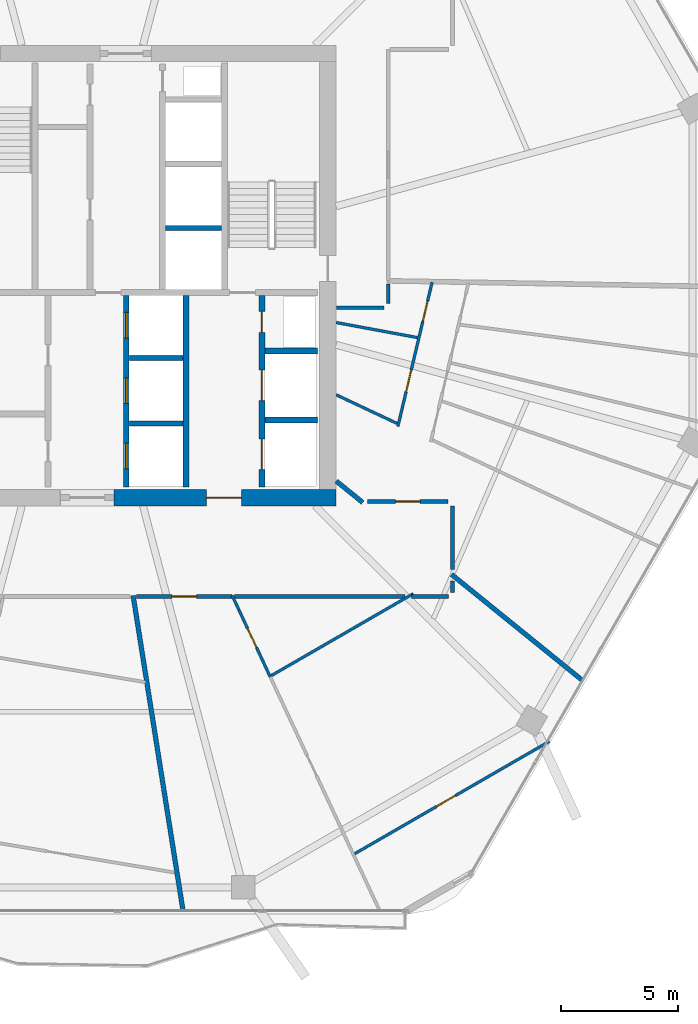
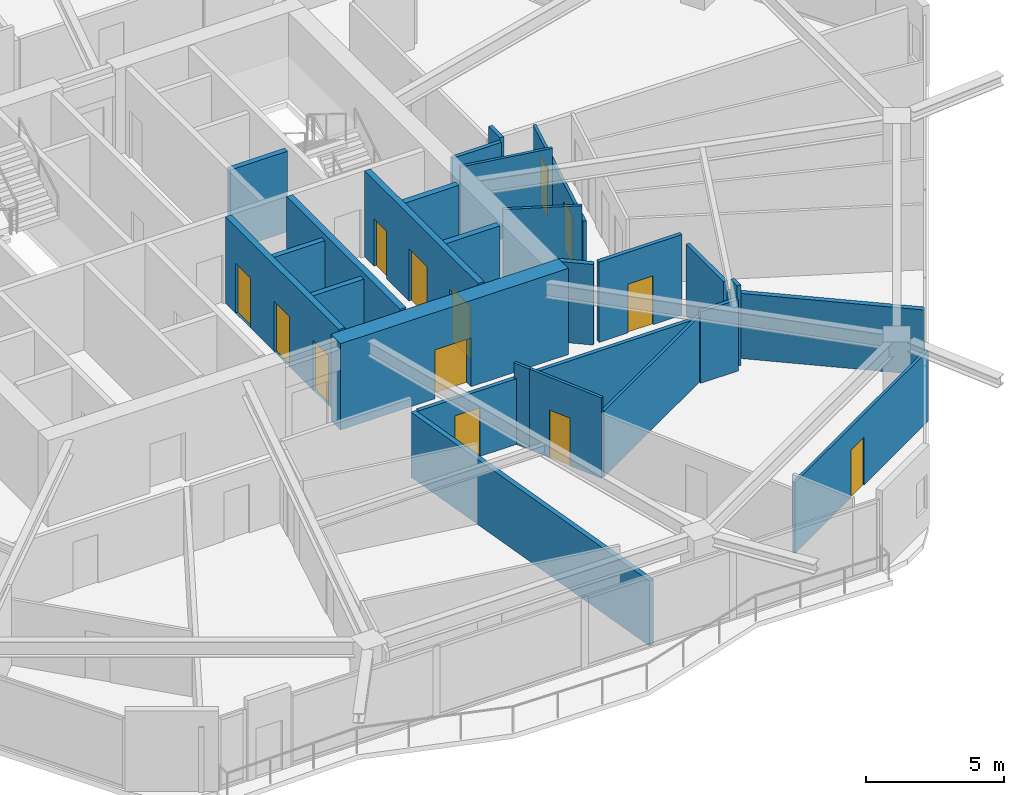
# One storey, part 21 of 27: 27 walls, 13 doors, 13 openings.
"""IFC4 building model written with IfcOpenShell, lengths in metres."""

from ifc_helpers import new_model, si_unit, direction, frame, frame_2d, origin, place, context, subcontext, project, spatial, rectangle, extrude, material, layer, layer_set, type_object, element, fill, save


model = new_model("IFC4")

# Units and contexts
model_context = context("Model", 3, precision=1e-05, world=origin(), true_north=direction((0.0, 1.0)))
body_context = subcontext(model_context, "Body", "Model", "MODEL_VIEW")
ifc_project = project(units=[si_unit("LENGTHUNIT", "METRE"), si_unit("AREAUNIT", "SQUARE_METRE"), si_unit("VOLUMEUNIT", "CUBIC_METRE"), si_unit("PLANEANGLEUNIT", "RADIAN"), si_unit("MASSUNIT", "GRAM", prefix="KILO")], contexts=[model_context])

# Site, building, storey
site_placement = place(None, origin())
site = spatial("IfcSite", under=ifc_project, at=site_placement, CompositionType="ELEMENT")
building_placement = place(site_placement, origin())
building = spatial("IfcBuilding", under=site, at=building_placement, Name="Zuhravey Tower", CompositionType="ELEMENT")
storey_placement = place(building_placement, frame((0.0, 0.0, 173.199951171875)))
storey = spatial("IfcBuildingStorey", under=building, at=storey_placement, Name="L43", CompositionType="ELEMENT", Elevation=173.199951171875)

# Wall, opening, door
ifc_material_1 = material(Name="Concrete C60/75", Category="concrete")
ifc_layer_1 = layer(ifc_material_1, 0.699951171875)
ifc_layer_set_1 = layer_set([ifc_layer_1], Name="Concrete C60/75")
wall_type_1 = type_object("IfcWallType", Name="Core Shear Wall 700", PredefinedType="SHEAR", material=ifc_layer_set_1)
wall_1_placement = place(storey_placement, frame((37.35009765625, 22.5, 0.0), z_axis=(0.0, 0.0, 1.0), x_axis=(1.0, 0.0, 0.0)))
wall_1 = element("IfcWall", 1, at=wall_1_placement, inside=storey, type_object=wall_type_1, Name="L43 South-East Core Shear Wall CW70", PredefinedType="SHEAR", context=body_context, shape_type="SweptSolid", body=[
    extrude(rectangle(XDim=9.5, YDim=0.699951171875, at=frame_2d((4.75, 0.0))), origin(), (0.0, 0.0, 1.0), 3.800048828125),
])
opening_1_placement = place(wall_1_placement, frame((3.949951171875, 0.0, 0.0)))
opening_1 = element("IfcOpeningElement", 2, at=opening_1_placement, cuts=wall_1, Name="Opening FFD1", PredefinedType="OPENING", context=body_context, shape_type="SweptSolid", body=[
    extrude(rectangle(XDim=1.5, YDim=2.14990234375, at=frame_2d((0.75, 1.074951171875))), frame((0.0, 0.362060546875, 0.0), z_axis=(0.0, -1.0, 0.0), x_axis=(1.0, 0.0, 0.0)), (0.0, 0.0, 1.0), 0.723876953125),
])
ifc_material_2 = material(Name="Galvanised fire-rated steel leaf", Category="steel")
door_type_1 = type_object("IfcDoorType", Name="Firefighting Lobby Double Door 1500x2150", OperationType="DOUBLE_DOOR_SINGLE_SWING", PredefinedType="DOOR", material=ifc_material_2)
door_1_placement = place(opening_1_placement, origin())
door_1 = element("IfcDoor", 3, at=door_1_placement, inside=storey, type_object=door_type_1, Name="L43 Firefighting Lobby East Door", OperationType="DOUBLE_DOOR_SINGLE_SWING", OverallHeight=2.14990234375, OverallWidth=1.5, PredefinedType="DOOR", context=body_context, shape_type="SweptSolid", body=[
    extrude(rectangle(XDim=1.5, YDim=2.14990234375, at=frame_2d((0.75, 1.074951171875))), frame((0.0, 0.02490234375, 0.0), z_axis=(0.0, -1.0, 0.0), x_axis=(1.0, 0.0, 0.0)), (0.0, 0.0, 1.0), 0.050048828125),
])
fill(opening_1, door_1)

ifc_material_3 = material(Name="Gypsum fire-rated stud partition")
ifc_layer_2 = layer(ifc_material_3, 0.159912109375)
ifc_layer_set_2 = layer_set([ifc_layer_2], Name="Gypsum fire-rated stud partition")
wall_type_2 = type_object("IfcWallType", Name="Corridor Fire Partition 160", PredefinedType="PARTITIONING", material=ifc_layer_set_2)
wall_2_placement = place(storey_placement, frame((38.31787109375, 18.27001953125, 0.0), z_axis=(0.0, 0.0, 1.0), x_axis=(1.0, 0.0, 0.0)))
wall_2 = element("IfcWall", 4, at=wall_2_placement, inside=storey, type_object=wall_type_2, Name="L43 IW16 Partition 050", PredefinedType="PARTITIONING", context=body_context, shape_type="SweptSolid", body=[
    extrude(rectangle(XDim=4.0859375, YDim=0.159912109375, at=frame_2d((2.04296875, 0.0))), origin(), (0.0, 0.0, 1.0), 2.900146484375),
])
opening_2_placement = place(wall_2_placement, frame((1.517822265625, 0.0, 0.0)))
opening_2 = element("IfcOpeningElement", 5, at=opening_2_placement, cuts=wall_2, Name="Opening APD1", PredefinedType="OPENING", context=body_context, shape_type="SweptSolid", body=[
    extrude(rectangle(XDim=1.050048828125, YDim=2.14990234375, at=frame_2d((0.52490234375, 1.074951171875))), frame((0.0, 0.092041015625, 0.0), z_axis=(0.0, -1.0, 0.0), x_axis=(1.0, 0.0, 0.0)), (0.0, 0.0, 1.0), 0.183837890625),
])
ifc_material_4 = material(Name="Solid-core oak fire-rated leaf")
door_type_2 = type_object("IfcDoorType", Name="Apartment Entrance Fire Door 1050x2150", OperationType="NOTDEFINED", PredefinedType="DOOR", material=ifc_material_4)
door_2_placement = place(opening_2_placement, frame((1.050048828125, 0.0, 0.0), z_axis=(0.0, 0.0, 1.0), x_axis=(-1.0, 0.0, 0.0)))
door_2 = element("IfcDoor", 6, at=door_2_placement, inside=storey, type_object=door_type_2, Name="L43 Door 050.1", OperationType="SINGLE_SWING_RIGHT", OverallHeight=2.14990234375, OverallWidth=1.050048828125, PredefinedType="DOOR", context=body_context, shape_type="SweptSolid", body=[
    extrude(rectangle(XDim=1.050048828125, YDim=2.14990234375, at=frame_2d((0.52490234375, 1.074951171875))), frame((0.0, 0.02490234375, 0.0), z_axis=(0.0, -1.0, 0.0), x_axis=(1.0, 0.0, 0.0)), (0.0, 0.0, 1.0), 0.050048828125),
])
fill(opening_2, door_2)

wall_3_placement = place(storey_placement, frame((51.6494140625, 22.330078125, 0.0), z_axis=(0.0, 0.0, 1.0), x_axis=(-1.0, 0.0, 0.0)))
wall_3 = element("IfcWall", 7, at=wall_3_placement, inside=storey, type_object=wall_type_2, Name="L43 IW16 Partition 053", PredefinedType="PARTITIONING", context=body_context, shape_type="SweptSolid", body=[
    extrude(rectangle(XDim=3.46044921875, YDim=0.159912109375, at=frame_2d((1.730224609375, 0.0))), origin(), (0.0, 0.0, 1.0), 3.550048828125),
])
opening_3_placement = place(wall_3_placement, frame((1.205078125, 0.0, 0.0)))
opening_3 = element("IfcOpeningElement", 8, at=opening_3_placement, cuts=wall_3, Name="Opening APD1", PredefinedType="OPENING", context=body_context, shape_type="SweptSolid", body=[
    extrude(rectangle(XDim=1.050048828125, YDim=2.14990234375, at=frame_2d((0.52490234375, 1.074951171875))), frame((0.0, 0.092041015625, 0.0), z_axis=(0.0, -1.0, 0.0), x_axis=(1.0, 0.0, 0.0)), (0.0, 0.0, 1.0), 0.183837890625),
])
door_3_placement = place(opening_3_placement, frame((1.050048828125, 0.0, 0.0), z_axis=(0.0, 0.0, 1.0), x_axis=(-1.0, 0.0, 0.0)))
door_3 = element("IfcDoor", 9, at=door_3_placement, inside=storey, type_object=door_type_2, Name="L43 Door 053.1", OperationType="SINGLE_SWING_LEFT", OverallHeight=2.14990234375, OverallWidth=1.050048828125, PredefinedType="DOOR", context=body_context, shape_type="SweptSolid", body=[
    extrude(rectangle(XDim=1.050048828125, YDim=2.14990234375, at=frame_2d((0.52490234375, 1.074951171875))), frame((0.0, 0.02490234375, 0.0), z_axis=(0.0, -1.0, 0.0), x_axis=(1.0, 0.0, 0.0)), (0.0, 0.0, 1.0), 0.050048828125),
])
fill(opening_3, door_3)

# Walls
wall_4_placement = place(storey_placement, frame((42.500732421875, 18.27001953125, 0.0), z_axis=(0.0, 0.0, 1.0), x_axis=(1.0, 0.0, 0.0)))
element("IfcWall", 10, at=wall_4_placement, inside=storey, type_object=wall_type_2, Name="L43 IW16 Partition 119", PredefinedType="PARTITIONING", context=body_context, shape_type="SweptSolid", body=[
    extrude(rectangle(XDim=7.30810546875, YDim=0.159912109375, at=frame_2d((3.654052734375, 0.0))), origin(), (0.0, 0.0, 1.0), 2.900146484375),
])
wall_5_placement = place(storey_placement, frame((50.080810546875, 18.27001953125, 0.0), z_axis=(0.0, 0.0, 1.0), x_axis=(1.0, 0.0, 0.0)))
element("IfcWall", 11, at=wall_5_placement, inside=storey, type_object=wall_type_2, Name="L43 IW16 Partition 120", PredefinedType="PARTITIONING", context=body_context, shape_type="SweptSolid", body=[
    extrude(rectangle(XDim=1.569091796875, YDim=0.159912109375, at=frame_2d((0.78466796875, 0.0))), origin(), (0.0, 0.0, 1.0), 3.150146484375),
])
wall_6_placement = place(storey_placement, frame((51.830078125, 18.449951171875, 0.0), z_axis=(0.0, 0.0, 1.0), x_axis=(0.0, 1.0, 0.0)))
element("IfcWall", 12, at=wall_6_placement, inside=storey, type_object=wall_type_2, Name="L43 IW16 Partition 121", PredefinedType="PARTITIONING", context=body_context, shape_type="SweptSolid", body=[
    extrude(rectangle(XDim=0.474853515625, YDim=0.159912109375, at=frame_2d((0.2373046875, 0.0))), origin(), (0.0, 0.0, 1.0), 3.550048828125),
])
wall_7_placement = place(storey_placement, frame((51.830078125, 19.433837890625, 0.0), z_axis=(0.0, 0.0, 1.0), x_axis=(0.0, 1.0, 0.0)))
element("IfcWall", 13, at=wall_7_placement, inside=storey, type_object=wall_type_2, Name="L43 IW16 Partition 122", PredefinedType="PARTITIONING", context=body_context, shape_type="SweptSolid", body=[
    extrude(rectangle(XDim=2.715576171875, YDim=0.159912109375, at=frame_2d((1.35791015625, 0.0))), origin(), (0.0, 0.0, 1.0), 3.150146484375),
])
wall_8_placement = place(storey_placement, frame((46.8701171875, 30.6201171875, 0.0), z_axis=(0.0, 0.0, 1.0), x_axis=(1.0, 0.0, 0.0)))
element("IfcWall", 14, at=wall_8_placement, inside=storey, type_object=wall_type_2, Name="L43 IW16 Partition 123", PredefinedType="PARTITIONING", context=body_context, shape_type="SweptSolid", body=[
    extrude(rectangle(XDim=2.02978515625, YDim=0.159912109375, at=frame_2d((1.014892578125, 0.0))), origin(), (0.0, 0.0, 1.0), 3.550048828125),
])
wall_9_placement = place(storey_placement, frame((49.080078125, 30.800048828125, 0.0), z_axis=(0.0, 0.0, 1.0), x_axis=(0.0, 1.0, 0.0)))
element("IfcWall", 15, at=wall_9_placement, inside=storey, type_object=wall_type_2, Name="L43 IW16 Partition 124", PredefinedType="PARTITIONING", context=body_context, shape_type="SweptSolid", body=[
    extrude(rectangle(XDim=0.83740234375, YDim=0.159912109375, at=frame_2d((0.418701171875, 0.0))), origin(), (0.0, 0.0, 1.0), 3.550048828125),
])

# Wall, openings, doors
ifc_material_5 = material(Name="Concrete C50/60", Category="concrete")
ifc_layer_3 = layer(ifc_material_5, 0.25)
ifc_layer_set_3 = layer_set([ifc_layer_3], Name="Concrete C50/60")
wall_type_3 = type_object("IfcWallType", Name="Firefighting Shaft & Stair Wall 250", PredefinedType="SOLIDWALL", material=ifc_layer_set_3)
wall_10_placement = place(storey_placement, frame((37.875, 22.949951171875, 0.0), z_axis=(0.0, 0.0, 1.0), x_axis=(0.0, 1.0, 0.0)))
wall_10 = element("IfcWall", 16, at=wall_10_placement, inside=storey, type_object=wall_type_3, Name="L43 FW25 Shaft Wall 015", PredefinedType="SOLIDWALL", context=body_context, shape_type="SweptSolid", body=[
    extrude(rectangle(XDim=8.199951171875, YDim=0.25, at=frame_2d((4.10009765625, 0.0))), origin(), (0.0, 0.0, 1.0), 3.800048828125),
])
opening_4_placement = place(wall_10_placement, frame((0.77490234375, 0.0, 0.0)))
opening_4 = element("IfcOpeningElement", 17, at=opening_4_placement, cuts=wall_10, Name="Opening LD1", PredefinedType="OPENING", context=body_context, shape_type="SweptSolid", body=[
    extrude(rectangle(XDim=1.10009765625, YDim=2.199951171875, at=frame_2d((0.550048828125, 1.10009765625))), frame((0.0, 0.136962890625, 0.0), z_axis=(0.0, -1.0, 0.0), x_axis=(1.0, 0.0, 0.0)), (0.0, 0.0, 1.0), 0.27392578125),
])
opening_5_placement = place(wall_10_placement, frame((3.574951171875, 0.0, 0.0)))
opening_5 = element("IfcOpeningElement", 18, at=opening_5_placement, cuts=wall_10, Name="Opening LD1", PredefinedType="OPENING", context=body_context, shape_type="SweptSolid", body=[
    extrude(rectangle(XDim=1.10009765625, YDim=2.199951171875, at=frame_2d((0.550048828125, 1.10009765625))), frame((0.0, 0.136962890625, 0.0), z_axis=(0.0, -1.0, 0.0), x_axis=(1.0, 0.0, 0.0)), (0.0, 0.0, 1.0), 0.27392578125),
])
opening_6_placement = place(wall_10_placement, frame((6.375, 0.0, 0.0)))
opening_6 = element("IfcOpeningElement", 19, at=opening_6_placement, cuts=wall_10, Name="Opening LD1", PredefinedType="OPENING", context=body_context, shape_type="SweptSolid", body=[
    extrude(rectangle(XDim=1.10009765625, YDim=2.199951171875, at=frame_2d((0.550048828125, 1.10009765625))), frame((0.0, 0.136962890625, 0.0), z_axis=(0.0, -1.0, 0.0), x_axis=(1.0, 0.0, 0.0)), (0.0, 0.0, 1.0), 0.27392578125),
])
ifc_material_6 = material(Name="Brushed stainless steel", Category="steel")
door_type_3 = type_object("IfcDoorType", Name="Lift Landing Sliding Door 1100x2200", OperationType="DOUBLE_DOOR_SLIDING", PredefinedType="DOOR", material=ifc_material_6)
door_4_placement = place(opening_4_placement, origin())
door_4 = element("IfcDoor", 20, at=door_4_placement, inside=storey, type_object=door_type_3, Name="L43 Lift PL4 Landing Door", OperationType="DOUBLE_DOOR_SLIDING", OverallHeight=2.199951171875, OverallWidth=1.10009765625, PredefinedType="DOOR", context=body_context, shape_type="SweptSolid", body=[
    extrude(rectangle(XDim=1.10009765625, YDim=2.199951171875, at=frame_2d((0.550048828125, 1.10009765625))), frame((0.0, 0.02490234375, 0.0), z_axis=(0.0, -1.0, 0.0), x_axis=(1.0, 0.0, 0.0)), (0.0, 0.0, 1.0), 0.050048828125),
])
fill(opening_4, door_4)
door_5_placement = place(opening_5_placement, origin())
door_5 = element("IfcDoor", 21, at=door_5_placement, inside=storey, type_object=door_type_3, Name="L43 Lift PL5 Landing Door", OperationType="DOUBLE_DOOR_SLIDING", OverallHeight=2.199951171875, OverallWidth=1.10009765625, PredefinedType="DOOR", context=body_context, shape_type="SweptSolid", body=[
    extrude(rectangle(XDim=1.10009765625, YDim=2.199951171875, at=frame_2d((0.550048828125, 1.10009765625))), frame((0.0, 0.02490234375, 0.0), z_axis=(0.0, -1.0, 0.0), x_axis=(1.0, 0.0, 0.0)), (0.0, 0.0, 1.0), 0.050048828125),
])
fill(opening_5, door_5)
door_6_placement = place(opening_6_placement, origin())
door_6 = element("IfcDoor", 22, at=door_6_placement, inside=storey, type_object=door_type_3, Name="L43 Lift PL6 Landing Door", OperationType="DOUBLE_DOOR_SLIDING", OverallHeight=2.199951171875, OverallWidth=1.10009765625, PredefinedType="DOOR", context=body_context, shape_type="SweptSolid", body=[
    extrude(rectangle(XDim=1.10009765625, YDim=2.199951171875, at=frame_2d((0.550048828125, 1.10009765625))), frame((0.0, 0.02490234375, 0.0), z_axis=(0.0, -1.0, 0.0), x_axis=(1.0, 0.0, 0.0)), (0.0, 0.0, 1.0), 0.050048828125),
])
fill(opening_6, door_6)

# Walls
wall_11_placement = place(storey_placement, frame((40.425048828125, 22.949951171875, 0.0), z_axis=(0.0, 0.0, 1.0), x_axis=(0.0, 1.0, 0.0)))
element("IfcWall", 23, at=wall_11_placement, inside=storey, type_object=wall_type_3, Name="L43 FW25 Shaft Wall 016", PredefinedType="SOLIDWALL", context=body_context, shape_type="SweptSolid", body=[
    extrude(rectangle(XDim=8.199951171875, YDim=0.25, at=frame_2d((4.10009765625, 0.0))), origin(), (0.0, 0.0, 1.0), 3.800048828125),
])
for number, where, z_axis, x_axis, name in (
    (24, (43.800048828125, 25.824951171875, 0.0), (0.0, 0.0, 1.0), (1.0, 0.0, 0.0), "L43 FW25 Shaft Wall 017"),
    (25, (43.800048828125, 28.77490234375, 0.0), (0.0, 0.0, 1.0), (1.0, 0.0, 0.0), "L43 FW25 Shaft Wall 018"),
):
    element("IfcWall", number, at=place(storey_placement, frame(where, z_axis=z_axis, x_axis=x_axis)), inside=storey, type_object=wall_type_3, Name=name, PredefinedType="SOLIDWALL", context=body_context, shape_type="SweptSolid", body=[
        extrude(rectangle(XDim=2.25, YDim=0.25, at=frame_2d((1.125, 0.0))), origin(), (0.0, 0.0, 1.0), 3.800048828125),
    ])

# Wall, openings, doors
wall_12_placement = place(storey_placement, frame((43.675048828125, 22.949951171875, 0.0), z_axis=(0.0, 0.0, 1.0), x_axis=(0.0, 1.0, 0.0)))
wall_12 = element("IfcWall", 26, at=wall_12_placement, inside=storey, type_object=wall_type_3, Name="L43 FW25 Shaft Wall 019", PredefinedType="SOLIDWALL", context=body_context, shape_type="SweptSolid", body=[
    extrude(rectangle(XDim=8.199951171875, YDim=0.25, at=frame_2d((4.10009765625, 0.0))), origin(), (0.0, 0.0, 1.0), 3.800048828125),
])
opening_7_placement = place(wall_12_placement, frame((0.75, 0.0, 0.0)))
opening_7 = element("IfcOpeningElement", 27, at=opening_7_placement, cuts=wall_12, Name="Opening LD2", PredefinedType="OPENING", context=body_context, shape_type="SweptSolid", body=[
    extrude(rectangle(XDim=1.300048828125, YDim=2.300048828125, at=frame_2d((0.64990234375, 1.14990234375))), frame((0.0, 0.136962890625, 0.0), z_axis=(0.0, -1.0, 0.0), x_axis=(1.0, 0.0, 0.0)), (0.0, 0.0, 1.0), 0.27392578125),
])
opening_8_placement = place(wall_12_placement, frame((3.699951171875, 0.0, 0.0)))
opening_8 = element("IfcOpeningElement", 28, at=opening_8_placement, cuts=wall_12, Name="Opening LD2", PredefinedType="OPENING", context=body_context, shape_type="SweptSolid", body=[
    extrude(rectangle(XDim=1.300048828125, YDim=2.300048828125, at=frame_2d((0.64990234375, 1.14990234375))), frame((0.0, 0.136962890625, 0.0), z_axis=(0.0, -1.0, 0.0), x_axis=(1.0, 0.0, 0.0)), (0.0, 0.0, 1.0), 0.27392578125),
])
opening_9_placement = place(wall_12_placement, frame((6.6201171875, 0.0, 0.0)))
opening_9 = element("IfcOpeningElement", 29, at=opening_9_placement, cuts=wall_12, Name="Opening RSD1", PredefinedType="OPENING", context=body_context, shape_type="SweptSolid", body=[
    extrude(rectangle(XDim=0.89990234375, YDim=2.10009765625, at=frame_2d((0.449951171875, 1.050048828125))), frame((0.0, 0.136962890625, 0.0), z_axis=(0.0, -1.0, 0.0), x_axis=(1.0, 0.0, 0.0)), (0.0, 0.0, 1.0), 0.27392578125),
])
door_type_4 = type_object("IfcDoorType", Name="Freight & Stretcher Lift Sliding Door 1300x2300", OperationType="DOUBLE_DOOR_SLIDING", PredefinedType="DOOR", material=ifc_material_6)
door_7_placement = place(opening_7_placement, origin())
door_7 = element("IfcDoor", 30, at=door_7_placement, inside=storey, type_object=door_type_4, Name="L43 Lift FF2 Landing Door", OperationType="DOUBLE_DOOR_SLIDING", OverallHeight=2.300048828125, OverallWidth=1.300048828125, PredefinedType="DOOR", context=body_context, shape_type="SweptSolid", body=[
    extrude(rectangle(XDim=1.300048828125, YDim=2.300048828125, at=frame_2d((0.64990234375, 1.14990234375))), frame((0.0, 0.02490234375, 0.0), z_axis=(0.0, -1.0, 0.0), x_axis=(1.0, 0.0, 0.0)), (0.0, 0.0, 1.0), 0.050048828125),
])
fill(opening_7, door_7)
door_8_placement = place(opening_8_placement, origin())
door_8 = element("IfcDoor", 31, at=door_8_placement, inside=storey, type_object=door_type_4, Name="L43 Lift SV1 Landing Door", OperationType="DOUBLE_DOOR_SLIDING", OverallHeight=2.300048828125, OverallWidth=1.300048828125, PredefinedType="DOOR", context=body_context, shape_type="SweptSolid", body=[
    extrude(rectangle(XDim=1.300048828125, YDim=2.300048828125, at=frame_2d((0.64990234375, 1.14990234375))), frame((0.0, 0.02490234375, 0.0), z_axis=(0.0, -1.0, 0.0), x_axis=(1.0, 0.0, 0.0)), (0.0, 0.0, 1.0), 0.050048828125),
])
fill(opening_8, door_8)
ifc_material_7 = material(Name="Galvanised fire-rated steel access leaf", Category="steel")
door_type_5 = type_object("IfcDoorType", Name="Riser & Shaft Access Fire Door 900x2100", OperationType="NOTDEFINED", PredefinedType="DOOR", material=ifc_material_7)
door_9_placement = place(opening_9_placement, origin())
door_9 = element("IfcDoor", 32, at=door_9_placement, inside=storey, type_object=door_type_5, Name="L43 Plumbing Riser Door", OperationType="SINGLE_SWING_LEFT", OverallHeight=2.10009765625, OverallWidth=0.89990234375, PredefinedType="DOOR", context=body_context, shape_type="SweptSolid", body=[
    extrude(rectangle(XDim=0.89990234375, YDim=2.10009765625, at=frame_2d((0.449951171875, 1.050048828125))), frame((0.0, 0.02490234375, 0.0), z_axis=(0.0, -1.0, 0.0), x_axis=(1.0, 0.0, 0.0)), (0.0, 0.0, 1.0), 0.050048828125),
])
fill(opening_9, door_9)

# Walls
ifc_material_8 = material(Name="Gypsum double-stud party assembly")
ifc_layer_4 = layer(ifc_material_8, 0.199951171875)
ifc_layer_set_4 = layer_set([ifc_layer_4], Name="Gypsum double-stud party assembly")
wall_type_4 = type_object("IfcWallType", Name="Inter-Tenancy Party Wall 200", PredefinedType="PARTITIONING", material=ifc_layer_set_4)
wall_13_placement = place(storey_placement, frame((38.168212890625, 18.31005859375, 0.0), z_axis=(0.0, 0.0, 1.0), x_axis=(0.156441591032, -0.987687211923, 0.0)))
element("IfcWall", 33, at=wall_13_placement, inside=storey, type_object=wall_type_4, Name="L43 IW20 Partition 091", PredefinedType="PARTITIONING", context=body_context, shape_type="SweptSolid", body=[
    extrude(rectangle(XDim=13.661376953125, YDim=0.199951171875, at=frame_2d((6.83056640625, 0.0))), origin(), (0.0, 0.0, 1.0), 2.8701171875),
])
wall_14_placement = place(storey_placement, frame((46.85791015625, 23.207275390625, 0.0), z_axis=(0.0, 0.0, 1.0), x_axis=(0.777244870707, -0.629198228668, 0.0)))
element("IfcWall", 34, at=wall_14_placement, inside=storey, type_object=wall_type_4, Name="L43 IW20 Partition 095", PredefinedType="PARTITIONING", context=body_context, shape_type="SweptSolid", body=[
    extrude(rectangle(XDim=1.457763671875, YDim=0.199951171875, at=frame_2d((0.72900390625, 0.0))), origin(), (0.0, 0.0, 1.0), 3.550048828125),
])
wall_15_placement = place(storey_placement, frame((51.7900390625, 19.21337890625, 0.0), z_axis=(0.0, 0.0, 1.0), x_axis=(0.777161996324, -0.629300589122, 0.0)))
element("IfcWall", 35, at=wall_15_placement, inside=storey, type_object=wall_type_4, Name="L43 IW20 Partition 096", PredefinedType="PARTITIONING", context=body_context, shape_type="SweptSolid", body=[
    extrude(rectangle(XDim=7.203857421875, YDim=0.199951171875, at=frame_2d((3.60205078125, 0.0))), origin(), (0.0, 0.0, 1.0), 2.8701171875),
])
ifc_material_9 = material(Name="Gypsum acoustic stud assembly")
ifc_layer_5 = layer(ifc_material_9, 0.219970703125)
ifc_layer_set_5 = layer_set([ifc_layer_5], Name="Gypsum acoustic stud assembly")
wall_type_5 = type_object("IfcWallType", Name="School Acoustic Compartment Wall 220", PredefinedType="PARTITIONING", material=ifc_layer_set_5)
wall_16_placement = place(storey_placement, frame((39.55810546875, 34.02490234375, 0.0), z_axis=(0.0, 0.0, 1.0), x_axis=(1.0, 0.0, 0.0)))
element("IfcWall", 36, at=wall_16_placement, inside=storey, type_object=wall_type_5, Name="L43 IW22 Partition 056", PredefinedType="PARTITIONING", context=body_context, shape_type="SweptSolid", body=[
    extrude(rectangle(XDim=2.3837890625, YDim=0.219970703125, at=frame_2d((1.19189453125, 0.0))), origin(), (0.0, 0.0, 1.0), 3.550048828125),
])
for number, where, z_axis, x_axis, name in (
    (37, (38.008056640625, 25.675048828125, 0.0), (0.0, 0.0, 1.0), (1.0, 0.0, 0.0), "L43 IW22 Partition 059"),
    (38, (38.008056640625, 28.47509765625, 0.0), (0.0, 0.0, 1.0), (1.0, 0.0, 0.0), "L43 IW22 Partition 060"),
):
    element("IfcWall", number, at=place(storey_placement, frame(where, z_axis=z_axis, x_axis=x_axis)), inside=storey, type_object=wall_type_5, Name=name, PredefinedType="PARTITIONING", context=body_context, shape_type="SweptSolid", body=[
        extrude(rectangle(XDim=2.283935546875, YDim=0.219970703125, at=frame_2d((1.14208984375, 0.0))), origin(), (0.0, 0.0, 1.0), 3.550048828125),
    ])

# Wall, opening, door
ifc_material_10 = material(Name="Gypsum metal-stud partition")
ifc_layer_6 = layer(ifc_material_10, 0.1201171875)
ifc_layer_set_6 = layer_set([ifc_layer_6], Name="Gypsum metal-stud partition")
wall_type_6 = type_object("IfcWallType", Name="Unit Internal Partition 120", PredefinedType="PARTITIONING", material=ifc_layer_set_6)
wall_17_placement = place(storey_placement, frame((42.6923828125, 17.699951171875, 0.0), z_axis=(0.0, 0.0, 1.0), x_axis=(0.423922627961, -0.905698407585, 0.0)))
wall_17 = element("IfcWall", 39, at=wall_17_placement, inside=storey, type_object=wall_type_6, Name="L43 IW12 Partition 047", PredefinedType="PARTITIONING", context=body_context, shape_type="SweptSolid", body=[
    extrude(rectangle(XDim=3.169189453125, YDim=0.1201171875, at=frame_2d((1.58447265625, 0.0))), origin(), (0.0, 0.0, 1.0), 3.550048828125),
])
opening_10_placement = place(wall_17_placement, frame((0.881103515625, 0.0, 0.0)))
opening_10 = element("IfcOpeningElement", 40, at=opening_10_placement, cuts=wall_17, Name="Opening WCD1", PredefinedType="OPENING", context=body_context, shape_type="SweptSolid", body=[
    extrude(rectangle(XDim=0.89990234375, YDim=2.10009765625, at=frame_2d((0.449951171875, 1.050048828125))), frame((0.0, 0.072021484375, 0.0), z_axis=(0.0, -1.0, 0.0), x_axis=(1.0, 0.0, 0.0)), (0.0, 0.0, 1.0), 0.14404296875),
])
ifc_material_11 = material(Name="Moisture-resistant timber leaf", Category="wood")
door_type_6 = type_object("IfcDoorType", Name="Bathroom & WC Internal Door 900x2100", OperationType="NOTDEFINED", PredefinedType="DOOR", material=ifc_material_11)
door_10_placement = place(opening_10_placement, origin())
door_10 = element("IfcDoor", 41, at=door_10_placement, inside=storey, type_object=door_type_6, Name="Apartment L43-07 Bathroom Door", OperationType="SINGLE_SWING_LEFT", OverallHeight=2.10009765625, OverallWidth=0.89990234375, PredefinedType="DOOR", context=body_context, shape_type="SweptSolid", body=[
    extrude(rectangle(XDim=0.89990234375, YDim=2.10009765625, at=frame_2d((0.449951171875, 1.050048828125))), frame((0.0, 0.02490234375, 0.0), z_axis=(0.0, -1.0, 0.0), x_axis=(1.0, 0.0, 0.0)), (0.0, 0.0, 1.0), 0.050048828125),
])
fill(opening_10, door_10)

wall_18_placement = place(storey_placement, frame((47.650634765625, 7.266357421875, 0.0), z_axis=(0.0, 0.0, 1.0), x_axis=(0.86602613873, 0.499998727035, 0.0)))
wall_18 = element("IfcWall", 42, at=wall_18_placement, inside=storey, type_object=wall_type_6, Name="L43 IW12 Partition 049", PredefinedType="PARTITIONING", context=body_context, shape_type="SweptSolid", body=[
    extrude(rectangle(XDim=9.61279296875, YDim=0.1201171875, at=frame_2d((4.806396484375, 0.0))), origin(), (0.0, 0.0, 1.0), 3.1220703125),
])
opening_11_placement = place(wall_18_placement, frame((4.027099609375, 0.0, 0.0)))
opening_11 = element("IfcOpeningElement", 43, at=opening_11_placement, cuts=wall_18, Name="Opening IND1", PredefinedType="OPENING", context=body_context, shape_type="SweptSolid", body=[
    extrude(rectangle(XDim=0.949951171875, YDim=2.10009765625, at=frame_2d((0.47509765625, 1.050048828125))), frame((0.0, 0.072021484375, 0.0), z_axis=(0.0, -1.0, 0.0), x_axis=(1.0, 0.0, 0.0)), (0.0, 0.0, 1.0), 0.14404296875),
])
ifc_material_12 = material(Name="Painted engineered timber leaf", Category="wood")
door_type_7 = type_object("IfcDoorType", Name="Internal Room & Bedroom Door 950x2100", OperationType="NOTDEFINED", PredefinedType="DOOR", material=ifc_material_12)
door_11_placement = place(opening_11_placement, frame((0.949951171875, 0.0, 0.0), z_axis=(0.0, 0.0, 1.0), x_axis=(-1.0, 0.0, 0.0)))
door_11 = element("IfcDoor", 44, at=door_11_placement, inside=storey, type_object=door_type_7, Name="Apartment L43-07 Bedroom 1 Door", OperationType="SINGLE_SWING_LEFT", OverallHeight=2.10009765625, OverallWidth=0.949951171875, PredefinedType="DOOR", context=body_context, shape_type="SweptSolid", body=[
    extrude(rectangle(XDim=0.949951171875, YDim=2.10009765625, at=frame_2d((0.47509765625, 1.050048828125))), frame((0.0, 0.02490234375, 0.0), z_axis=(0.0, -1.0, 0.0), x_axis=(1.0, 0.0, 0.0)), (0.0, 0.0, 1.0), 0.050048828125),
])
fill(opening_11, door_11)

# Wall, openings, doors
wall_19_placement = place(storey_placement, frame((49.49560546875, 25.544677734375, 0.0), z_axis=(0.0, 0.0, 1.0), x_axis=(0.230738150412, 0.973015881651, 0.0)))
wall_19 = element("IfcWall", 45, at=wall_19_placement, inside=storey, type_object=wall_type_6, Name="L43 IW12 Partition 051", PredefinedType="PARTITIONING", context=body_context, shape_type="SweptSolid", body=[
    extrude(rectangle(XDim=6.334716796875, YDim=0.1201171875, at=frame_2d((3.16748046875, 0.0))), origin(), (0.0, 0.0, 1.0), 2.900146484375),
])
opening_12_placement = place(wall_19_placement, frame((1.522705078125, 0.0, 0.0)))
opening_12 = element("IfcOpeningElement", 46, at=opening_12_placement, cuts=wall_19, Name="Opening IND1", PredefinedType="OPENING", context=body_context, shape_type="SweptSolid", body=[
    extrude(rectangle(XDim=0.949951171875, YDim=2.10009765625, at=frame_2d((0.47509765625, 1.050048828125))), frame((0.0, 0.072021484375, 0.0), z_axis=(0.0, -1.0, 0.0), x_axis=(1.0, 0.0, 0.0)), (0.0, 0.0, 1.0), 0.14404296875),
])
opening_13_placement = place(wall_19_placement, frame((4.61279296875, 0.0, 0.0)))
opening_13 = element("IfcOpeningElement", 47, at=opening_13_placement, cuts=wall_19, Name="Opening WCD1", PredefinedType="OPENING", context=body_context, shape_type="SweptSolid", body=[
    extrude(rectangle(XDim=0.89990234375, YDim=2.10009765625, at=frame_2d((0.449951171875, 1.050048828125))), frame((0.0, 0.072021484375, 0.0), z_axis=(0.0, -1.0, 0.0), x_axis=(1.0, 0.0, 0.0)), (0.0, 0.0, 1.0), 0.14404296875),
])
door_12_placement = place(opening_13_placement, origin())
door_12 = element("IfcDoor", 48, at=door_12_placement, inside=storey, type_object=door_type_6, Name="Apartment L43-08 Bathroom Door", OperationType="SINGLE_SWING_RIGHT", OverallHeight=2.10009765625, OverallWidth=0.89990234375, PredefinedType="DOOR", context=body_context, shape_type="SweptSolid", body=[
    extrude(rectangle(XDim=0.89990234375, YDim=2.10009765625, at=frame_2d((0.449951171875, 1.050048828125))), frame((0.0, 0.02490234375, 0.0), z_axis=(0.0, -1.0, 0.0), x_axis=(1.0, 0.0, 0.0)), (0.0, 0.0, 1.0), 0.050048828125),
])
fill(opening_13, door_12)
door_13_placement = place(opening_12_placement, origin())
door_13 = element("IfcDoor", 49, at=door_13_placement, inside=storey, type_object=door_type_7, Name="Apartment L43-08 Kitchen Door", OperationType="SINGLE_SWING_LEFT", OverallHeight=2.10009765625, OverallWidth=0.949951171875, PredefinedType="DOOR", context=body_context, shape_type="SweptSolid", body=[
    extrude(rectangle(XDim=0.949951171875, YDim=2.10009765625, at=frame_2d((0.47509765625, 1.050048828125))), frame((0.0, 0.02490234375, 0.0), z_axis=(0.0, -1.0, 0.0), x_axis=(1.0, 0.0, 0.0)), (0.0, 0.0, 1.0), 0.050048828125),
])
fill(opening_12, door_13)

# Walls
wall_20_placement = place(storey_placement, frame((42.40576171875, 18.3125, 0.0), z_axis=(0.0, 0.0, 1.0), x_axis=(0.423814093748, -0.905749200353, 0.0)))
element("IfcWall", 50, at=wall_20_placement, inside=storey, type_object=wall_type_6, Name="L43 IW12 Partition 092", PredefinedType="PARTITIONING", context=body_context, shape_type="SweptSolid", body=[
    extrude(rectangle(XDim=0.67626953125, YDim=0.1201171875, at=frame_2d((0.338134765625, 0.0))), origin(), (0.0, 0.0, 1.0), 3.550048828125),
])
wall_21_placement = place(storey_placement, frame((44.084228515625, 14.886474609375, 0.0), z_axis=(0.0, 0.0, 1.0), x_axis=(0.866034731829, 0.499983843005, 0.0)))
element("IfcWall", 51, at=wall_21_placement, inside=storey, type_object=wall_type_6, Name="L43 IW12 Partition 094", PredefinedType="PARTITIONING", context=body_context, shape_type="SweptSolid", body=[
    extrude(rectangle(XDim=7.007080078125, YDim=0.1201171875, at=frame_2d((3.50341796875, 0.0))), origin(), (0.0, 0.0, 1.0), 2.900146484375),
])
wall_22_placement = place(storey_placement, frame((46.85791015625, 29.98779296875, 0.0), z_axis=(0.0, 0.0, 1.0), x_axis=(0.983273284931, -0.182136342173, 0.0)))
element("IfcWall", 52, at=wall_22_placement, inside=storey, type_object=wall_type_6, Name="L43 IW12 Partition 097", PredefinedType="PARTITIONING", context=body_context, shape_type="SweptSolid", body=[
    extrude(rectangle(XDim=3.528076171875, YDim=0.1201171875, at=frame_2d((1.76416015625, 0.0))), origin(), (0.0, 0.0, 1.0), 3.550048828125),
])
wall_23_placement = place(storey_placement, frame((46.85791015625, 26.895263671875, 0.0), z_axis=(0.0, 0.0, 1.0), x_axis=(0.904965101131, -0.425485799686, 0.0)))
element("IfcWall", 53, at=wall_23_placement, inside=storey, type_object=wall_type_6, Name="L43 IW12 Partition 101", PredefinedType="PARTITIONING", context=body_context, shape_type="SweptSolid", body=[
    extrude(rectangle(XDim=2.871337890625, YDim=0.1201171875, at=frame_2d((1.435546875, 0.0))), origin(), (0.0, 0.0, 1.0), 3.550048828125),
])

save(model, "model.ifc")
